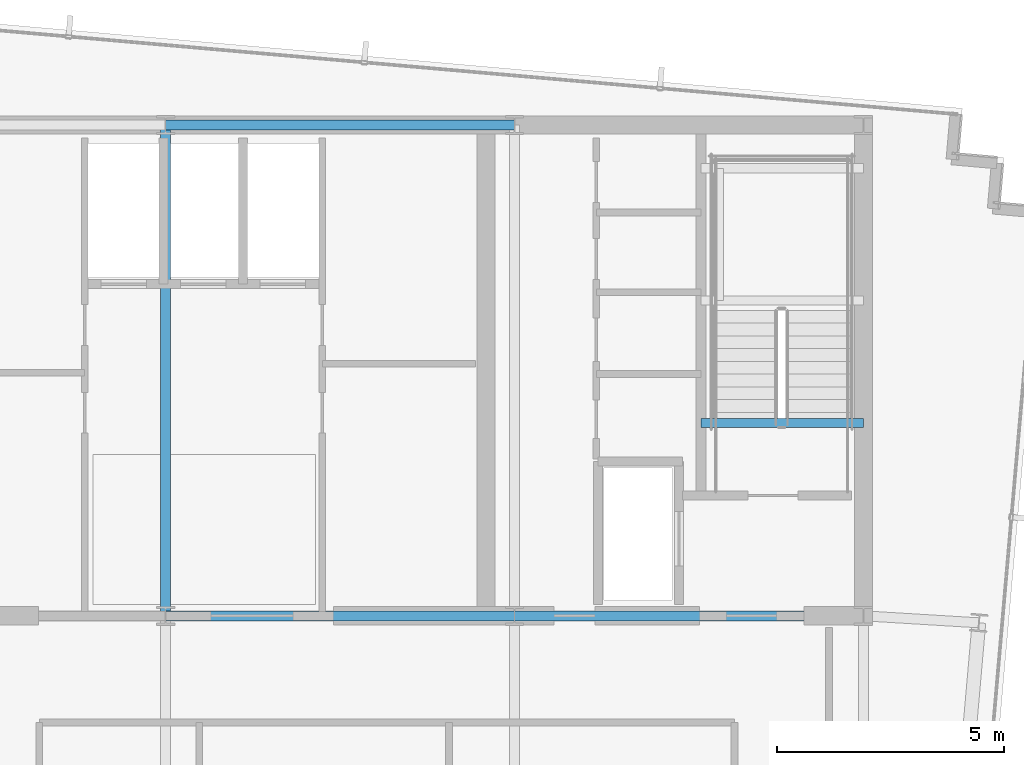
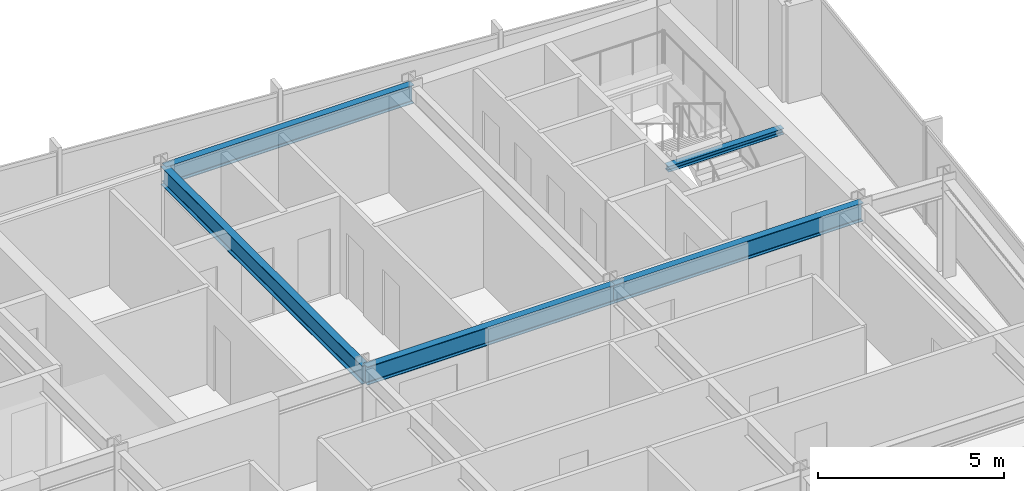
# One storey, part 18 of 32: 5 beams.
"""IFC4 building model written with IfcOpenShell, lengths in metres."""

from ifc_helpers import new_model, si_unit, direction, frame, origin, origin_2d, place, context, subcontext, project, spatial, i_section, extrude, material, material_profile, profile_set, type_object, element, save


model = new_model("IFC4")

# Units and contexts
model_context = context("Model", 3, precision=1e-05, world=origin(), true_north=direction((0.0, 1.0)))
body_context = subcontext(model_context, "Body", "Model", "MODEL_VIEW")
ifc_project = project(units=[si_unit("LENGTHUNIT", "METRE"), si_unit("AREAUNIT", "SQUARE_METRE"), si_unit("VOLUMEUNIT", "CUBIC_METRE"), si_unit("PLANEANGLEUNIT", "RADIAN"), si_unit("MASSUNIT", "GRAM", prefix="KILO")], contexts=[model_context])

# Site, building, storey
site_placement = place(None, origin())
site = spatial("IfcSite", under=ifc_project, at=site_placement, CompositionType="ELEMENT")
building_placement = place(site_placement, origin())
building = spatial("IfcBuilding", under=site, at=building_placement, Name="Yelkora Congress Tower", CompositionType="ELEMENT")
storey_placement = place(building_placement, frame((0.0, 0.0, 265.89990234375)))
storey = spatial("IfcBuildingStorey", under=building, at=storey_placement, Name="L74", CompositionType="ELEMENT", Elevation=265.89990234375)

# Beams
ifc_material = material(Name="Steel S355J2", Category="steel")
ifc_material_profile_1 = material_profile(ifc_material, i_section(OverallWidth=0.219970703125, OverallDepth=0.60009765625, WebThickness=0.011962890625, FlangeThickness=0.01904296875, FilletRadius=0.02392578125, at=origin_2d()), Name="IPE 600")
ifc_profile_set_1 = profile_set([ifc_material_profile_1], Name="Steel S355J2")
beam_type_1 = type_object("IfcBeamType", Name="BM-GIRD-IPE600", PredefinedType="BEAM", material=ifc_profile_set_1)
for number, where, z_axis, x_axis, name in (
    (1, (38.39990234375, 46.199951171875, 2.880126953125), (1.0, 0.0, 0.0), (0.0, 1.0, 0.0), "L74 Core North Girder 3"),
    (2, (38.39990234375, 35.39990234375, 2.880126953125), (1.0, 0.0, 0.0), (0.0, 1.0, 0.0), "L74 Core South Girder 3"),
):
    element("IfcBeam", number, at=place(storey_placement, frame(where, z_axis=z_axis, x_axis=x_axis)), inside=storey, type_object=beam_type_1, Name=name, PredefinedType="BEAM", context=body_context, shape_type="SweptSolid", body=[
        extrude(i_section(OverallWidth=0.219970703125, OverallDepth=0.60009765625, WebThickness=0.011962890625, FlangeThickness=0.01904296875, FilletRadius=0.02392578125, at=origin_2d()), origin(), (0.0, 0.0, 1.0), 7.68017578125),
    ])
beam_1_placement = place(storey_placement, frame((46.080078125, 35.39990234375, 2.880126953125), z_axis=(1.0, 0.0, 0.0), x_axis=(0.0, 1.0, 0.0)))
element("IfcBeam", 3, at=beam_1_placement, inside=storey, type_object=beam_type_1, Name="L74 Core South Girder 4", PredefinedType="BEAM", context=body_context, shape_type="SweptSolid", body=[
    extrude(i_section(OverallWidth=0.219970703125, OverallDepth=0.60009765625, WebThickness=0.011962890625, FlangeThickness=0.01904296875, FilletRadius=0.02392578125, at=origin_2d()), origin(), (0.0, 0.0, 1.0), 7.679931640625),
])
beam_2_placement = place(storey_placement, frame((38.39990234375, 35.39990234375, 2.880126953125), z_axis=(0.0, 1.0, 0.0), x_axis=(-1.0, 0.0, 0.0)))
element("IfcBeam", 4, at=beam_2_placement, inside=storey, type_object=beam_type_1, Name="L74 Core Tie Girder MC-S3", PredefinedType="BEAM", context=body_context, shape_type="SweptSolid", body=[
    extrude(i_section(OverallWidth=0.219970703125, OverallDepth=0.60009765625, WebThickness=0.011962890625, FlangeThickness=0.01904296875, FilletRadius=0.02392578125, at=origin_2d()), origin(), (0.0, 0.0, 1.0), 10.800048828125),
])
ifc_material_profile_2 = material_profile(ifc_material, i_section(OverallWidth=0.199951171875, OverallDepth=0.18994140625, WebThickness=0.006591796875, FlangeThickness=0.010009765625, FilletRadius=0.01806640625, at=origin_2d()), Name="HEA 200")
ifc_profile_set_2 = profile_set([ifc_material_profile_2], Name="Steel S355J2")
beam_type_2 = type_object("IfcBeamType", Name="BM-LAND-HEA200", PredefinedType="BEAM", material=ifc_profile_set_2)
beam_3_placement = place(storey_placement, frame((50.179931640625, 39.639892578125, 2.947509765625), z_axis=(1.0, 0.0, 0.0), x_axis=(0.0, 1.0, 0.0)))
element("IfcBeam", 5, at=beam_3_placement, inside=storey, type_object=beam_type_2, Name="ST-02 L74 Floor Arrival Stringer Header Beam", PredefinedType="BEAM", context=body_context, shape_type="SweptSolid", body=[
    extrude(i_section(OverallWidth=0.199951171875, OverallDepth=0.18994140625, WebThickness=0.006591796875, FlangeThickness=0.010009765625, FilletRadius=0.01806640625, at=origin_2d()), origin(), (0.0, 0.0, 1.0), 3.580078125),
])

save(model, "model.ifc")
